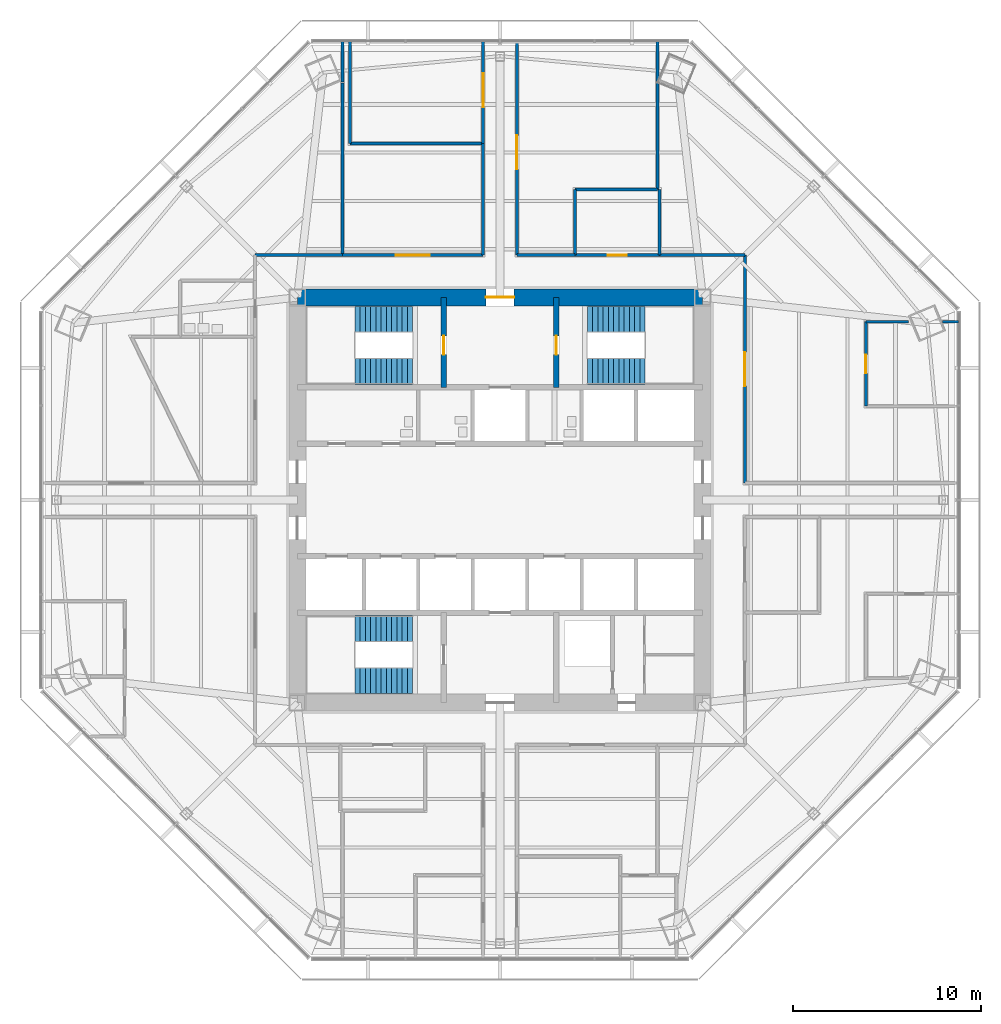
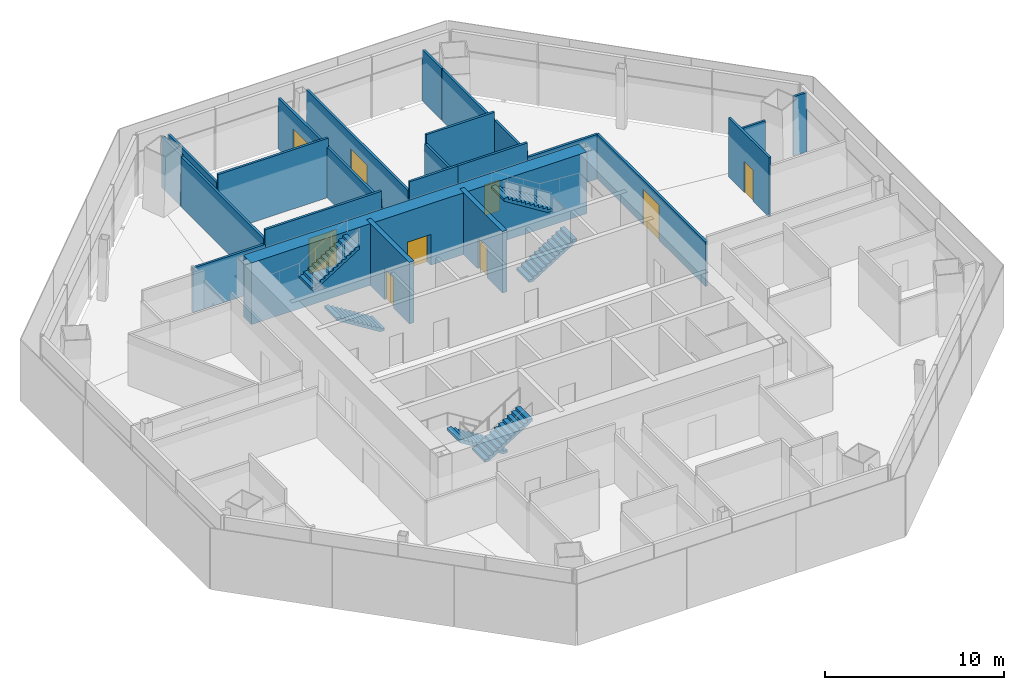
# One storey, part 11 of 15: 24 walls, 9 doors, 6 stair flights, 9 openings, 3 elements without a shape of their own.
"""IFC4 building model written with IfcOpenShell, lengths in metres."""

from ifc_helpers import new_model, si_unit, direction, frame, frame_2d, origin, place, context, subcontext, project, spatial, polyline, rectangle, outline, extrude, material, layer, layer_set, type_object, element, fill, aggregate, save


model = new_model("IFC4")

# Units and contexts
model_context = context("Model", 3, precision=1e-05, world=origin(), true_north=direction((0.0, 1.0)))
body_context = subcontext(model_context, "Body", "Model", "MODEL_VIEW")
ifc_project = project(units=[si_unit("LENGTHUNIT", "METRE"), si_unit("AREAUNIT", "SQUARE_METRE"), si_unit("VOLUMEUNIT", "CUBIC_METRE"), si_unit("PLANEANGLEUNIT", "RADIAN"), si_unit("MASSUNIT", "GRAM", prefix="KILO")], contexts=[model_context])

# Site, building, storey
site_placement = place(None, origin())
site = spatial("IfcSite", under=ifc_project, at=site_placement, CompositionType="ELEMENT")
building_placement = place(site_placement, origin())
building = spatial("IfcBuilding", under=site, at=building_placement, Name="Mashrafa Tower", CompositionType="ELEMENT")
storey_placement = place(building_placement, frame((0.0, 0.0, 126.0)))
storey = spatial("IfcBuildingStorey", under=building, at=storey_placement, Name="L28", CompositionType="ELEMENT", Elevation=126.0)

# Wall, opening, door
ifc_material_1 = material(Name="Concrete C60/75", Category="concrete")
ifc_layer_1 = layer(ifc_material_1, 0.300048828125)
ifc_layer_set_1 = layer_set([ifc_layer_1], Name="Core wall 300 C60/75")
wall_type_1 = type_object("IfcWallType", Name="Core wall 300 C60/75", PredefinedType="SOLIDWALL", material=ifc_layer_set_1)
wall_1_placement = place(storey_placement, frame((-3.0, 6.0, 0.0), z_axis=(0.0, 0.0, 1.0), x_axis=(0.0, 1.0, 0.0)))
wall_1 = element("IfcWall", 1, at=wall_1_placement, inside=storey, type_object=wall_type_1, Name="Core wall CX-NW L28", PredefinedType="SOLIDWALL", context=body_context, shape_type="SweptSolid", body=[
    extrude(rectangle(XDim=4.800048828125, YDim=0.300048828125, at=frame_2d((2.39990234375, 0.0))), origin(), (0.0, 0.0, 1.0), 4.199951171875),
])
opening_1_placement = place(wall_1_placement, frame((1.75, 0.0, 0.0)))
opening_1 = element("IfcOpeningElement", 2, at=opening_1_placement, cuts=wall_1, Name="Opening 28.028", PredefinedType="OPENING", context=body_context, shape_type="SweptSolid", body=[
    extrude(rectangle(XDim=1.0, YDim=2.10009765625, at=frame_2d((0.5, 1.050048828125))), frame((0.0, 0.159912109375, 0.0), z_axis=(0.0, -1.0, 0.0), x_axis=(1.0, 0.0, 0.0)), (0.0, 0.0, 1.0), 0.320068359375),
])
ifc_material_2 = material(Name="Steel door", Category="steel")
door_type_1 = type_object("IfcDoorType", Name="Stair door 1000 x 2100 90 min", OperationType="USERDEFINED", PredefinedType="DOOR", material=ifc_material_2)
door_1_placement = place(opening_1_placement, origin())
door_1 = element("IfcDoor", 3, at=door_1_placement, inside=storey, type_object=door_type_1, Name="Stair S1 door L28", OperationType="SINGLE_SWING_LEFT", OverallHeight=2.10009765625, OverallWidth=1.0, PredefinedType="DOOR", context=body_context, shape_type="SweptSolid", body=[
    extrude(rectangle(XDim=1.0, YDim=2.10009765625, at=frame_2d((0.5, 1.050048828125))), frame((0.0, 0.02490234375, 0.0), z_axis=(0.0, -1.0, 0.0), x_axis=(1.0, 0.0, 0.0)), (0.0, 0.0, 1.0), 0.050048828125),
])
fill(opening_1, door_1)

wall_2_placement = place(storey_placement, frame((3.0, 6.0, 0.0), z_axis=(0.0, 0.0, 1.0), x_axis=(0.0, 1.0, 0.0)))
wall_2 = element("IfcWall", 4, at=wall_2_placement, inside=storey, type_object=wall_type_1, Name="Core wall CX-NE L28", PredefinedType="SOLIDWALL", context=body_context, shape_type="SweptSolid", body=[
    extrude(rectangle(XDim=4.800048828125, YDim=0.300048828125, at=frame_2d((2.39990234375, 0.0))), origin(), (0.0, 0.0, 1.0), 4.199951171875),
])
opening_2_placement = place(wall_2_placement, frame((1.75, 0.0, 0.0)))
opening_2 = element("IfcOpeningElement", 5, at=opening_2_placement, cuts=wall_2, Name="Opening 28.029", PredefinedType="OPENING", context=body_context, shape_type="SweptSolid", body=[
    extrude(rectangle(XDim=1.0, YDim=2.10009765625, at=frame_2d((0.5, 1.050048828125))), frame((0.0, 0.159912109375, 0.0), z_axis=(0.0, -1.0, 0.0), x_axis=(1.0, 0.0, 0.0)), (0.0, 0.0, 1.0), 0.320068359375),
])
door_2_placement = place(opening_2_placement, frame((1.0, 0.0, 0.0), z_axis=(0.0, 0.0, 1.0), x_axis=(-1.0, 0.0, 0.0)))
door_2 = element("IfcDoor", 6, at=door_2_placement, inside=storey, type_object=door_type_1, Name="Stair S2 door L28", OperationType="SINGLE_SWING_RIGHT", OverallHeight=2.10009765625, OverallWidth=1.0, PredefinedType="DOOR", context=body_context, shape_type="SweptSolid", body=[
    extrude(rectangle(XDim=1.0, YDim=2.10009765625, at=frame_2d((0.5, 1.050048828125))), frame((0.0, 0.02490234375, 0.0), z_axis=(0.0, -1.0, 0.0), x_axis=(1.0, 0.0, 0.0)), (0.0, 0.0, 1.0), 0.050048828125),
])
fill(opening_2, door_2)

ifc_material_3 = material(Name="Concrete C60/75", Category="concrete")
ifc_layer_2 = layer(ifc_material_3, 0.89990234375)
ifc_layer_set_2 = layer_set([ifc_layer_2], Name="Core wall 900 C60/75")
wall_type_2 = type_object("IfcWallType", Name="Core wall 900 C60/75", PredefinedType="SOLIDWALL", material=ifc_layer_set_2)
wall_3_placement = place(storey_placement, frame((10.800048828125, 10.800048828125, 0.0), z_axis=(0.0, 0.0, 1.0), x_axis=(-1.0, 0.0, 0.0)))
wall_3 = element("IfcWall", 7, at=wall_3_placement, inside=storey, type_object=wall_type_2, Name="Core wall CW-N L28", PredefinedType="SOLIDWALL", context=body_context, shape_type="SweptSolid", body=[
    extrude(rectangle(XDim=21.60009765625, YDim=0.89990234375, at=frame_2d((10.800048828125, 0.0))), origin(), (0.0, 0.0, 1.0), 4.199951171875),
])
opening_3_placement = place(wall_3_placement, frame((10.050048828125, 0.0, 0.0)))
opening_3 = element("IfcOpeningElement", 8, at=opening_3_placement, cuts=wall_3, Name="Opening 28.026", PredefinedType="OPENING", context=body_context, shape_type="SweptSolid", body=[
    extrude(rectangle(XDim=1.5, YDim=2.10009765625, at=frame_2d((0.75, 1.050048828125))), frame((0.0, 0.4599609375, 0.0), z_axis=(0.0, -1.0, 0.0), x_axis=(1.0, 0.0, 0.0)), (0.0, 0.0, 1.0), 0.919921875),
])
ifc_material_4 = material(Name="Steel door", Category="steel")
door_type_2 = type_object("IfcDoorType", Name="Lobby door pair 1500 x 2100 90 min", OperationType="DOUBLE_DOOR_SINGLE_SWING", PredefinedType="DOOR", material=ifc_material_4)
door_3_placement = place(opening_3_placement, origin())
door_3 = element("IfcDoor", 9, at=door_3_placement, inside=storey, type_object=door_type_2, Name="Fire-fighting lobby F1 door L28", OperationType="DOUBLE_DOOR_SINGLE_SWING", OverallHeight=2.10009765625, OverallWidth=1.5, PredefinedType="DOOR", context=body_context, shape_type="SweptSolid", body=[
    extrude(rectangle(XDim=1.5, YDim=2.10009765625, at=frame_2d((0.75, 1.050048828125))), frame((0.0, 0.02490234375, 0.0), z_axis=(0.0, -1.0, 0.0), x_axis=(1.0, 0.0, 0.0)), (0.0, 0.0, 1.0), 0.050048828125),
])
fill(opening_3, door_3)

ifc_material_5 = material(Name="Gypsum board on steel studs", Category="steel")
ifc_layer_3 = layer(ifc_material_5, 0.14990234375)
ifc_layer_set_3 = layer_set([ifc_layer_3], Name="Corridor partition 150 1 hr")
wall_type_3 = type_object("IfcWallType", Name="Corridor partition 150 1 hr", PredefinedType="PARTITIONING", material=ifc_layer_set_3)
wall_4_placement = place(storey_placement, frame((-0.89990234375, 24.434326171875, 0.0), z_axis=(0.0, 0.0, 1.0), x_axis=(0.0, -1.0, 0.0)))
wall_4 = element("IfcWall", 10, at=wall_4_placement, inside=storey, type_object=wall_type_3, Name="Corridor wall L28-004", PredefinedType="PARTITIONING", context=body_context, shape_type="SweptSolid", body=[
    extrude(rectangle(XDim=5.434814453125, YDim=0.14990234375, at=frame_2d((2.71728515625, 0.0))), origin(), (0.0, 0.0, 1.0), 3.49169921875),
])
opening_4_placement = place(wall_4_placement, frame((1.699462890625, 0.0, 0.0)))
opening_4 = element("IfcOpeningElement", 11, at=opening_4_placement, cuts=wall_4, Name="Opening 28.003", PredefinedType="OPENING", context=body_context, shape_type="SweptSolid", body=[
    extrude(rectangle(XDim=1.800048828125, YDim=2.39990234375, at=frame_2d((0.89990234375, 1.199951171875))), frame((0.0, 0.0849609375, 0.0), z_axis=(0.0, -1.0, 0.0), x_axis=(1.0, 0.0, 0.0)), (0.0, 0.0, 1.0), 0.169921875),
])
ifc_material_6 = material(Name="Timber door", Category="wood")
door_type_3 = type_object("IfcDoorType", Name="Door pair 1800 x 2400", OperationType="DOUBLE_DOOR_SINGLE_SWING", PredefinedType="DOOR", material=ifc_material_6)
door_4_placement = place(opening_4_placement, frame((1.800048828125, 0.0, 0.0), z_axis=(0.0, 0.0, 1.0), x_axis=(-1.0, 0.0, 0.0)))
door_4 = element("IfcDoor", 12, at=door_4_placement, inside=storey, type_object=door_type_3, Name="Board Room 28-N door", OperationType="DOUBLE_DOOR_SINGLE_SWING", OverallHeight=2.39990234375, OverallWidth=1.800048828125, PredefinedType="DOOR", context=body_context, shape_type="SweptSolid", body=[
    extrude(rectangle(XDim=1.800048828125, YDim=2.39990234375, at=frame_2d((0.89990234375, 1.199951171875))), frame((0.0, 0.02490234375, 0.0), z_axis=(0.0, -1.0, 0.0), x_axis=(1.0, 0.0, 0.0)), (0.0, 0.0, 1.0), 0.050048828125),
])
fill(opening_4, door_4)

wall_5_placement = place(storey_placement, frame((8.5009765625, 13.050048828125, 0.0), z_axis=(0.0, 0.0, 1.0), x_axis=(-1.0, 0.0, 0.0)))
wall_5 = element("IfcWall", 13, at=wall_5_placement, inside=storey, type_object=wall_type_3, Name="Corridor wall L28-005", PredefinedType="PARTITIONING", context=body_context, shape_type="SweptSolid", body=[
    extrude(rectangle(XDim=4.501953125, YDim=0.14990234375, at=frame_2d((2.2509765625, 0.0))), origin(), (0.0, 0.0, 1.0), 4.034912109375),
])
opening_5_placement = place(wall_5_placement, frame((1.7509765625, 0.0, 0.0)))
opening_5 = element("IfcOpeningElement", 14, at=opening_5_placement, cuts=wall_5, Name="Opening 28.004", PredefinedType="OPENING", context=body_context, shape_type="SweptSolid", body=[
    extrude(rectangle(XDim=1.0, YDim=2.10009765625, at=frame_2d((0.5, 1.050048828125))), frame((0.0, 0.0849609375, 0.0), z_axis=(0.0, -1.0, 0.0), x_axis=(1.0, 0.0, 0.0)), (0.0, 0.0, 1.0), 0.169921875),
])
ifc_material_7 = material(Name="Timber door", Category="wood")
door_type_4 = type_object("IfcDoorType", Name="Door 1000 x 2100", OperationType="USERDEFINED", PredefinedType="DOOR", material=ifc_material_7)
door_5_placement = place(opening_5_placement, frame((1.0, 0.0, 0.0), z_axis=(0.0, 0.0, 1.0), x_axis=(-1.0, 0.0, 0.0)))
door_5 = element("IfcDoor", 15, at=door_5_placement, inside=storey, type_object=door_type_4, Name="Pantry 28-N door", OperationType="SINGLE_SWING_RIGHT", OverallHeight=2.10009765625, OverallWidth=1.0, PredefinedType="DOOR", context=body_context, shape_type="SweptSolid", body=[
    extrude(rectangle(XDim=1.0, YDim=2.10009765625, at=frame_2d((0.5, 1.050048828125))), frame((0.0, 0.02490234375, 0.0), z_axis=(0.0, -1.0, 0.0), x_axis=(1.0, 0.0, 0.0)), (0.0, 0.0, 1.0), 0.050048828125),
])
fill(opening_5, door_5)

wall_6_placement = place(storey_placement, frame((13.050048828125, 0.89990234375, 0.0), z_axis=(0.0, 0.0, 1.0), x_axis=(0.0, 1.0, 0.0)))
wall_6 = element("IfcWall", 16, at=wall_6_placement, inside=storey, type_object=wall_type_3, Name="Corridor wall L28-012", PredefinedType="PARTITIONING", context=body_context, shape_type="SweptSolid", body=[
    extrude(rectangle(XDim=12.150146484375, YDim=0.14990234375, at=frame_2d((6.0751953125, 0.0))), origin(), (0.0, 0.0, 1.0), 3.0419921875),
])
opening_6_placement = place(wall_6_placement, frame((5.175048828125, 0.0, 0.0)))
opening_6 = element("IfcOpeningElement", 17, at=opening_6_placement, cuts=wall_6, Name="Opening 28.014", PredefinedType="OPENING", context=body_context, shape_type="SweptSolid", body=[
    extrude(rectangle(XDim=1.800048828125, YDim=2.39990234375, at=frame_2d((0.89990234375, 1.199951171875))), frame((0.0, 0.0849609375, 0.0), z_axis=(0.0, -1.0, 0.0), x_axis=(1.0, 0.0, 0.0)), (0.0, 0.0, 1.0), 0.169921875),
])
door_6_placement = place(opening_6_placement, frame((1.800048828125, 0.0, 0.0), z_axis=(0.0, 0.0, 1.0), x_axis=(-1.0, 0.0, 0.0)))
door_6 = element("IfcDoor", 18, at=door_6_placement, inside=storey, type_object=door_type_3, Name="Office Tenancy 28-N-NE1 door", OperationType="DOUBLE_DOOR_SINGLE_SWING", OverallHeight=2.39990234375, OverallWidth=1.800048828125, PredefinedType="DOOR", context=body_context, shape_type="SweptSolid", body=[
    extrude(rectangle(XDim=1.800048828125, YDim=2.39990234375, at=frame_2d((0.89990234375, 1.199951171875))), frame((0.0, 0.02490234375, 0.0), z_axis=(0.0, -1.0, 0.0), x_axis=(1.0, 0.0, 0.0)), (0.0, 0.0, 1.0), 0.050048828125),
])
fill(opening_6, door_6)

# Walls
wall_7_placement = place(storey_placement, frame((13.050048828125, 13.050048828125, 0.0), z_axis=(0.0, 0.0, 1.0), x_axis=(-1.0, 0.0, 0.0)))
element("IfcWall", 19, at=wall_7_placement, inside=storey, type_object=wall_type_3, Name="Corridor wall L28-013", PredefinedType="PARTITIONING", context=body_context, shape_type="SweptSolid", body=[
    extrude(rectangle(XDim=4.551025390625, YDim=0.14990234375, at=frame_2d((2.275390625, 0.0))), origin(), (0.0, 0.0, 1.0), 3.0419921875),
])
wall_8_placement = place(storey_placement, frame((4.0009765625, 13.050048828125, 0.0), z_axis=(0.0, 0.0, 1.0), x_axis=(-1.0, 0.0, 0.0)))
element("IfcWall", 20, at=wall_8_placement, inside=storey, type_object=wall_type_3, Name="Corridor wall L28-014", PredefinedType="PARTITIONING", context=body_context, shape_type="SweptSolid", body=[
    extrude(rectangle(XDim=3.10107421875, YDim=0.14990234375, at=frame_2d((1.550537109375, 0.0))), origin(), (0.0, 0.0, 1.0), 4.034912109375),
])

# Wall, opening, door
wall_9_placement = place(storey_placement, frame((0.89990234375, 13.050048828125, 0.0), z_axis=(0.0, 0.0, 1.0), x_axis=(0.0, 1.0, 0.0)))
wall_9 = element("IfcWall", 21, at=wall_9_placement, inside=storey, type_object=wall_type_3, Name="Corridor wall L28-015", PredefinedType="PARTITIONING", context=body_context, shape_type="SweptSolid", body=[
    extrude(rectangle(XDim=11.38427734375, YDim=0.14990234375, at=frame_2d((5.692138671875, 0.0))), origin(), (0.0, 0.0, 1.0), 3.425537109375),
])
opening_7_placement = place(wall_9_placement, frame((4.5751953125, 0.0, 0.0)))
opening_7 = element("IfcOpeningElement", 22, at=opening_7_placement, cuts=wall_9, Name="Opening 28.015", PredefinedType="OPENING", context=body_context, shape_type="SweptSolid", body=[
    extrude(rectangle(XDim=1.800048828125, YDim=2.39990234375, at=frame_2d((0.89990234375, 1.199951171875))), frame((0.0, 0.0849609375, 0.0), z_axis=(0.0, -1.0, 0.0), x_axis=(1.0, 0.0, 0.0)), (0.0, 0.0, 1.0), 0.169921875),
])
door_7_placement = place(opening_7_placement, frame((1.800048828125, 0.0, 0.0), z_axis=(0.0, 0.0, 1.0), x_axis=(-1.0, 0.0, 0.0)))
door_7 = element("IfcDoor", 23, at=door_7_placement, inside=storey, type_object=door_type_3, Name="Office Tenancy 28-N-NE2 door", OperationType="DOUBLE_DOOR_SINGLE_SWING", OverallHeight=2.39990234375, OverallWidth=1.800048828125, PredefinedType="DOOR", context=body_context, shape_type="SweptSolid", body=[
    extrude(rectangle(XDim=1.800048828125, YDim=2.39990234375, at=frame_2d((0.89990234375, 1.199951171875))), frame((0.0, 0.02490234375, 0.0), z_axis=(0.0, -1.0, 0.0), x_axis=(1.0, 0.0, 0.0)), (0.0, 0.0, 1.0), 0.050048828125),
])
fill(opening_7, door_7)

# Walls
wall_10_placement = place(storey_placement, frame((-8.39892578125, 13.050048828125, 0.0), z_axis=(0.0, 0.0, 1.0), x_axis=(-1.0, 0.0, 0.0)))
element("IfcWall", 24, at=wall_10_placement, inside=storey, type_object=wall_type_3, Name="Corridor wall L28-017", PredefinedType="PARTITIONING", context=body_context, shape_type="SweptSolid", body=[
    extrude(rectangle(XDim=4.651123046875, YDim=0.14990234375, at=frame_2d((2.32568359375, 0.0))), origin(), (0.0, 0.0, 1.0), 3.0419921875),
])
wall_11_placement = place(storey_placement, frame((-0.89990234375, 19.00146484375, 0.0), z_axis=(0.0, 0.0, 1.0), x_axis=(0.0, -1.0, 0.0)))
element("IfcWall", 25, at=wall_11_placement, inside=storey, type_object=wall_type_3, Name="Corridor wall L28-019", PredefinedType="PARTITIONING", context=body_context, shape_type="SweptSolid", body=[
    extrude(rectangle(XDim=5.951416015625, YDim=0.14990234375, at=frame_2d((2.9755859375, 0.0))), origin(), (0.0, 0.0, 1.0), 3.425537109375),
])

# Wall, opening, door
wall_12_placement = place(storey_placement, frame((-0.89990234375, 13.050048828125, 0.0), z_axis=(0.0, 0.0, 1.0), x_axis=(-1.0, 0.0, 0.0)))
wall_12 = element("IfcWall", 26, at=wall_12_placement, inside=storey, type_object=wall_type_3, Name="Corridor wall L28-020", PredefinedType="PARTITIONING", context=body_context, shape_type="SweptSolid", body=[
    extrude(rectangle(XDim=7.5009765625, YDim=0.14990234375, at=frame_2d((3.75048828125, 0.0))), origin(), (0.0, 0.0, 1.0), 4.034912109375),
])
opening_8_placement = place(wall_12_placement, frame((2.8505859375, 0.0, 0.0)))
opening_8 = element("IfcOpeningElement", 27, at=opening_8_placement, cuts=wall_12, Name="Opening 28.017", PredefinedType="OPENING", context=body_context, shape_type="SweptSolid", body=[
    extrude(rectangle(XDim=1.800048828125, YDim=2.39990234375, at=frame_2d((0.89990234375, 1.199951171875))), frame((0.0, 0.0849609375, 0.0), z_axis=(0.0, -1.0, 0.0), x_axis=(1.0, 0.0, 0.0)), (0.0, 0.0, 1.0), 0.169921875),
])
door_8_placement = place(opening_8_placement, frame((1.800048828125, 0.0, 0.0), z_axis=(0.0, 0.0, 1.0), x_axis=(-1.0, 0.0, 0.0)))
door_8 = element("IfcDoor", 28, at=door_8_placement, inside=storey, type_object=door_type_3, Name="Office Tenancy 28-N-NW2 door", OperationType="DOUBLE_DOOR_SINGLE_SWING", OverallHeight=2.39990234375, OverallWidth=1.800048828125, PredefinedType="DOOR", context=body_context, shape_type="SweptSolid", body=[
    extrude(rectangle(XDim=1.800048828125, YDim=2.39990234375, at=frame_2d((0.89990234375, 1.199951171875))), frame((0.0, 0.02490234375, 0.0), z_axis=(0.0, -1.0, 0.0), x_axis=(1.0, 0.0, 0.0)), (0.0, 0.0, 1.0), 0.050048828125),
])
fill(opening_8, door_8)

# Walls
ifc_material_8 = material(Name="Gypsum board on steel studs", Category="steel")
ifc_layer_4 = layer(ifc_material_8, 0.14990234375)
ifc_layer_set_4 = layer_set([ifc_layer_4], Name="Partition 150")
wall_type_4 = type_object("IfcWallType", Name="Partition 150", PredefinedType="PARTITIONING", material=ifc_layer_set_4)
wall_13_placement = place(storey_placement, frame((-8.0, 24.432373046875, 0.0), z_axis=(0.0, 0.0, 1.0), x_axis=(0.0, -1.0, 0.0)))
element("IfcWall", 29, at=wall_13_placement, inside=storey, type_object=wall_type_4, Name="Partition wall L28-036", PredefinedType="PARTITIONING", context=body_context, shape_type="SweptSolid", body=[
    extrude(rectangle(XDim=5.431884765625, YDim=0.14990234375, at=frame_2d((2.7158203125, 0.0))), origin(), (0.0, 0.0, 1.0), 3.49169921875),
])
wall_14_placement = place(storey_placement, frame((-8.0, 19.00048828125, 0.0), z_axis=(0.0, 0.0, 1.0), x_axis=(1.0, 0.0, 0.0)))
element("IfcWall", 30, at=wall_14_placement, inside=storey, type_object=wall_type_4, Name="Partition wall L28-037", PredefinedType="PARTITIONING", context=body_context, shape_type="SweptSolid", body=[
    extrude(rectangle(XDim=7.10009765625, YDim=0.14990234375, at=frame_2d((3.550048828125, 0.0))), origin(), (0.0, 0.0, 1.0), 4.034912109375),
])
wall_15_placement = place(storey_placement, frame((8.5, 13.050048828125, 0.0), z_axis=(0.0, 0.0, 1.0), x_axis=(0.0, 1.0, 0.0)))
element("IfcWall", 31, at=wall_15_placement, inside=storey, type_object=wall_type_4, Name="Partition wall L28-038", PredefinedType="PARTITIONING", context=body_context, shape_type="SweptSolid", body=[
    extrude(rectangle(XDim=3.5, YDim=0.14990234375, at=frame_2d((1.75, 0.0))), origin(), (0.0, 0.0, 1.0), 3.425537109375),
])
wall_16_placement = place(storey_placement, frame((8.40087890625, 16.550048828125, 0.0), z_axis=(0.0, 0.0, 1.0), x_axis=(-1.0, 0.0, 0.0)))
element("IfcWall", 32, at=wall_16_placement, inside=storey, type_object=wall_type_4, Name="Partition wall L28-039", PredefinedType="PARTITIONING", context=body_context, shape_type="SweptSolid", body=[
    extrude(rectangle(XDim=4.40087890625, YDim=0.14990234375, at=frame_2d((2.200439453125, 0.0))), origin(), (0.0, 0.0, 1.0), 4.034912109375),
])
wall_17_placement = place(storey_placement, frame((4.0, 16.550048828125, 0.0), z_axis=(0.0, 0.0, 1.0), x_axis=(0.0, -1.0, 0.0)))
element("IfcWall", 33, at=wall_17_placement, inside=storey, type_object=wall_type_4, Name="Partition wall L28-040", PredefinedType="PARTITIONING", context=body_context, shape_type="SweptSolid", body=[
    extrude(rectangle(XDim=3.5, YDim=0.14990234375, at=frame_2d((1.75, 0.0))), origin(), (0.0, 0.0, 1.0), 3.425537109375),
])
wall_18_placement = place(storey_placement, frame((24.432373046875, 9.5, 0.0), z_axis=(0.0, 0.0, 1.0), x_axis=(-1.0, 0.0, 0.0)))
element("IfcWall", 34, at=wall_18_placement, inside=storey, type_object=wall_type_4, Name="Partition wall L28-046", PredefinedType="PARTITIONING", context=body_context, shape_type="SweptSolid", body=[
    extrude(rectangle(XDim=0.85546875, YDim=0.14990234375, at=frame_2d((0.427734375, 0.0))), origin(), (0.0, 0.0, 1.0), 4.034912109375),
])
wall_19_placement = place(storey_placement, frame((21.772216796875, 9.5, 0.0), z_axis=(0.0, 0.0, 1.0), x_axis=(-1.0, 0.0, 0.0)))
element("IfcWall", 35, at=wall_19_placement, inside=storey, type_object=wall_type_4, Name="Partition wall L28-047", PredefinedType="PARTITIONING", context=body_context, shape_type="SweptSolid", body=[
    extrude(rectangle(XDim=2.271728515625, YDim=0.14990234375, at=frame_2d((1.1357421875, 0.0))), origin(), (0.0, 0.0, 1.0), 3.0419921875),
])

# Wall, opening, door
wall_20_placement = place(storey_placement, frame((19.50048828125, 9.5, 0.0), z_axis=(0.0, 0.0, 1.0), x_axis=(0.0, -1.0, 0.0)))
wall_20 = element("IfcWall", 36, at=wall_20_placement, inside=storey, type_object=wall_type_4, Name="Partition wall L28-048", PredefinedType="PARTITIONING", context=body_context, shape_type="SweptSolid", body=[
    extrude(rectangle(XDim=4.5, YDim=0.14990234375, at=frame_2d((2.25, 0.0))), origin(), (0.0, 0.0, 1.0), 4.034912109375),
])
opening_9_placement = place(wall_20_placement, frame((1.75, 0.0, 0.0)))
opening_9 = element("IfcOpeningElement", 37, at=opening_9_placement, cuts=wall_20, Name="Opening 28.007", PredefinedType="OPENING", context=body_context, shape_type="SweptSolid", body=[
    extrude(rectangle(XDim=1.0, YDim=2.10009765625, at=frame_2d((0.5, 1.050048828125))), frame((0.0, 0.0849609375, 0.0), z_axis=(0.0, -1.0, 0.0), x_axis=(1.0, 0.0, 0.0)), (0.0, 0.0, 1.0), 0.169921875),
])
door_9_placement = place(opening_9_placement, origin())
door_9 = element("IfcDoor", 38, at=door_9_placement, inside=storey, type_object=door_type_4, Name="Meeting Room 28-N-NE1 door", OperationType="SINGLE_SWING_LEFT", OverallHeight=2.10009765625, OverallWidth=1.0, PredefinedType="DOOR", context=body_context, shape_type="SweptSolid", body=[
    extrude(rectangle(XDim=1.0, YDim=2.10009765625, at=frame_2d((0.5, 1.050048828125))), frame((0.0, 0.02490234375, 0.0), z_axis=(0.0, -1.0, 0.0), x_axis=(1.0, 0.0, 0.0)), (0.0, 0.0, 1.0), 0.050048828125),
])
fill(opening_9, door_9)

# Walls
wall_21_placement = place(storey_placement, frame((8.39990234375, 24.432373046875, 0.0), z_axis=(0.0, 0.0, 1.0), x_axis=(0.0, -1.0, 0.0)))
element("IfcWall", 39, at=wall_21_placement, inside=storey, type_object=wall_type_4, Name="Partition wall L28-069", PredefinedType="PARTITIONING", context=body_context, shape_type="SweptSolid", body=[
    extrude(rectangle(XDim=2.1435546875, YDim=0.14990234375, at=frame_2d((1.07177734375, 0.0))), origin(), (0.0, 0.0, 1.0), 3.499267578125),
])
wall_22_placement = place(storey_placement, frame((8.39990234375, 22.227783203125, 0.0), z_axis=(0.0, 0.0, 1.0), x_axis=(0.0, -1.0, 0.0)))
element("IfcWall", 40, at=wall_22_placement, inside=storey, type_object=wall_type_4, Name="Partition wall L28-070", PredefinedType="PARTITIONING", context=body_context, shape_type="SweptSolid", body=[
    extrude(rectangle(XDim=5.677734375, YDim=0.14990234375, at=frame_2d((2.8388671875, 0.0))), origin(), (0.0, 0.0, 1.0), 3.49169921875),
])
wall_23_placement = place(storey_placement, frame((-8.39990234375, 13.050048828125, 0.0), z_axis=(0.0, 0.0, 1.0), x_axis=(0.0, 1.0, 0.0)))
element("IfcWall", 41, at=wall_23_placement, inside=storey, type_object=wall_type_4, Name="Partition wall L28-071", PredefinedType="PARTITIONING", context=body_context, shape_type="SweptSolid", body=[
    extrude(rectangle(XDim=9.177734375, YDim=0.14990234375, at=frame_2d((4.5888671875, 0.0))), origin(), (0.0, 0.0, 1.0), 3.425537109375),
])
wall_24_placement = place(storey_placement, frame((-8.39990234375, 22.288818359375, 0.0), z_axis=(0.0, 0.0, 1.0), x_axis=(0.0, 1.0, 0.0)))
element("IfcWall", 42, at=wall_24_placement, inside=storey, type_object=wall_type_4, Name="Partition wall L28-072", PredefinedType="PARTITIONING", context=body_context, shape_type="SweptSolid", body=[
    extrude(rectangle(XDim=2.1435546875, YDim=0.14990234375, at=frame_2d((1.07177734375, 0.0))), origin(), (0.0, 0.0, 1.0), 3.499267578125),
])

# Stair, stair flights
ifc_material_9 = material(Name="Exit stair 1400")
stair_type = type_object("IfcStairType", Name="Exit stair 1400", PredefinedType="HALF_TURN_STAIR", material=ifc_material_9)
stair_1_placement = place(storey_placement, origin())
stair_1 = element("IfcStair", 43, at=stair_1_placement, inside=storey, type_object=stair_type, Name="Stair S1 L28", PredefinedType="HALF_TURN_STAIR")
ifc_material_10 = material(Name="Concrete C32/40", Category="concrete")
stair_flight_type = type_object("IfcStairFlightType", Name="Stair flight 1400", PredefinedType="STRAIGHT", material=ifc_material_10)
stair_flight_1_placement = place(storey_placement, frame((-4.64990234375, 6.85009765625, 0.0), z_axis=(0.0, 0.0, 1.0), x_axis=(-1.0, 0.0, 0.0)))
stair_flight_1 = element("IfcStairFlight", 44, at=stair_flight_1_placement, type_object=stair_flight_type, Name="S1 flight 1", NumberOfRisers=12, NumberOfTreads=11, PredefinedType="STRAIGHT", RiserHeight=0.175, TreadLength=0.28, context=body_context, shape_type="SweptSolid", body=[
    extrude(outline(polyline([(0.0, 0.0), (0.0, 0.175048828125), (0.280029296875, 0.175048828125), (0.280029296875, 0.35009765625), (0.56005859375, 0.35009765625), (0.56005859375, 0.52490234375), (0.840087890625, 0.52490234375), (0.840087890625, 0.699951171875), (1.1201171875, 0.699951171875), (1.1201171875, 0.875), (1.39990234375, 0.875), (1.39990234375, 1.050048828125), (1.679931640625, 1.050048828125), (1.679931640625, 1.22509765625), (1.9599609375, 1.22509765625), (1.9599609375, 1.39990234375), (2.239990234375, 1.39990234375), (2.239990234375, 1.574951171875), (2.52001953125, 1.574951171875), (2.52001953125, 1.75), (2.800048828125, 1.75), (2.800048828125, 1.925048828125), (3.080078125, 1.925048828125), (3.080078125, 2.10009765625), (3.080078125, 1.748291015625), (0.28271484375, 0.0), (0.0, 0.0)])), frame((0.0, 0.699951171875, 0.0), z_axis=(0.0, -1.0, 0.0), x_axis=(1.0, 0.0, 0.0)), (0.0, 0.0, 1.0), 1.39990234375),
])
stair_flight_2_placement = place(storey_placement, frame((-7.72998046875, 9.64990234375, 2.10009765625), z_axis=(0.0, 0.0, 1.0), x_axis=(1.0, 0.0, 0.0)))
stair_flight_2 = element("IfcStairFlight", 45, at=stair_flight_2_placement, type_object=stair_flight_type, Name="S1 flight 2", NumberOfRisers=12, NumberOfTreads=11, PredefinedType="STRAIGHT", RiserHeight=0.175, TreadLength=0.28, context=body_context, shape_type="SweptSolid", body=[
    extrude(outline(polyline([(0.0, 0.0), (0.0, 0.175048828125), (0.280029296875, 0.175048828125), (0.280029296875, 0.35009765625), (0.56005859375, 0.35009765625), (0.56005859375, 0.52490234375), (0.840087890625, 0.52490234375), (0.840087890625, 0.699951171875), (1.1201171875, 0.699951171875), (1.1201171875, 0.875), (1.39990234375, 0.875), (1.39990234375, 1.050048828125), (1.679931640625, 1.050048828125), (1.679931640625, 1.22509765625), (1.9599609375, 1.22509765625), (1.9599609375, 1.39990234375), (2.239990234375, 1.39990234375), (2.239990234375, 1.574951171875), (2.52001953125, 1.574951171875), (2.52001953125, 1.75), (2.800048828125, 1.75), (2.800048828125, 1.925048828125), (3.080078125, 1.925048828125), (3.080078125, 2.10009765625), (3.080078125, 1.748291015625), (0.28271484375, 0.0), (0.0, 0.0)])), frame((0.0, 0.699951171875, 0.0), z_axis=(0.0, -1.0, 0.0), x_axis=(1.0, 0.0, 0.0)), (0.0, 0.0, 1.0), 1.39990234375),
])
aggregate(stair_1, [stair_flight_1, stair_flight_2])

stair_2_placement = place(storey_placement, origin())
stair_2 = element("IfcStair", 46, at=stair_2_placement, inside=storey, type_object=stair_type, Name="Stair S2 L28", PredefinedType="HALF_TURN_STAIR")
stair_flight_3_placement = place(storey_placement, frame((4.64990234375, 6.85009765625, 0.0), z_axis=(0.0, 0.0, 1.0), x_axis=(1.0, 0.0, 0.0)))
stair_flight_3 = element("IfcStairFlight", 47, at=stair_flight_3_placement, type_object=stair_flight_type, Name="S2 flight 1", NumberOfRisers=12, NumberOfTreads=11, PredefinedType="STRAIGHT", RiserHeight=0.175, TreadLength=0.28, context=body_context, shape_type="SweptSolid", body=[
    extrude(outline(polyline([(0.0, 0.0), (0.0, 0.175048828125), (0.280029296875, 0.175048828125), (0.280029296875, 0.35009765625), (0.56005859375, 0.35009765625), (0.56005859375, 0.52490234375), (0.840087890625, 0.52490234375), (0.840087890625, 0.699951171875), (1.1201171875, 0.699951171875), (1.1201171875, 0.875), (1.39990234375, 0.875), (1.39990234375, 1.050048828125), (1.679931640625, 1.050048828125), (1.679931640625, 1.22509765625), (1.9599609375, 1.22509765625), (1.9599609375, 1.39990234375), (2.239990234375, 1.39990234375), (2.239990234375, 1.574951171875), (2.52001953125, 1.574951171875), (2.52001953125, 1.75), (2.800048828125, 1.75), (2.800048828125, 1.925048828125), (3.080078125, 1.925048828125), (3.080078125, 2.10009765625), (3.080078125, 1.748291015625), (0.28271484375, 0.0), (0.0, 0.0)])), frame((0.0, 0.699951171875, 0.0), z_axis=(0.0, -1.0, 0.0), x_axis=(1.0, 0.0, 0.0)), (0.0, 0.0, 1.0), 1.39990234375),
])
stair_flight_4_placement = place(storey_placement, frame((7.72998046875, 9.64990234375, 2.10009765625), z_axis=(0.0, 0.0, 1.0), x_axis=(-1.0, 0.0, 0.0)))
stair_flight_4 = element("IfcStairFlight", 48, at=stair_flight_4_placement, type_object=stair_flight_type, Name="S2 flight 2", NumberOfRisers=12, NumberOfTreads=11, PredefinedType="STRAIGHT", RiserHeight=0.175, TreadLength=0.28, context=body_context, shape_type="SweptSolid", body=[
    extrude(outline(polyline([(0.0, 0.0), (0.0, 0.175048828125), (0.280029296875, 0.175048828125), (0.280029296875, 0.35009765625), (0.56005859375, 0.35009765625), (0.56005859375, 0.52490234375), (0.840087890625, 0.52490234375), (0.840087890625, 0.699951171875), (1.1201171875, 0.699951171875), (1.1201171875, 0.875), (1.39990234375, 0.875), (1.39990234375, 1.050048828125), (1.679931640625, 1.050048828125), (1.679931640625, 1.22509765625), (1.9599609375, 1.22509765625), (1.9599609375, 1.39990234375), (2.239990234375, 1.39990234375), (2.239990234375, 1.574951171875), (2.52001953125, 1.574951171875), (2.52001953125, 1.75), (2.800048828125, 1.75), (2.800048828125, 1.925048828125), (3.080078125, 1.925048828125), (3.080078125, 2.10009765625), (3.080078125, 1.748291015625), (0.28271484375, 0.0), (0.0, 0.0)])), frame((0.0, 0.699951171875, 0.0), z_axis=(0.0, -1.0, 0.0), x_axis=(1.0, 0.0, 0.0)), (0.0, 0.0, 1.0), 1.39990234375),
])
aggregate(stair_2, [stair_flight_3, stair_flight_4])

stair_3_placement = place(storey_placement, origin())
stair_3 = element("IfcStair", 49, at=stair_3_placement, inside=storey, type_object=stair_type, Name="Stair S3 L28", PredefinedType="HALF_TURN_STAIR")
stair_flight_5_placement = place(storey_placement, frame((-4.64990234375, -6.85009765625, 0.0), z_axis=(0.0, 0.0, 1.0), x_axis=(-1.0, 0.0, 0.0)))
stair_flight_5 = element("IfcStairFlight", 50, at=stair_flight_5_placement, type_object=stair_flight_type, Name="S3 flight 1", NumberOfRisers=12, NumberOfTreads=11, PredefinedType="STRAIGHT", RiserHeight=0.175, TreadLength=0.28, context=body_context, shape_type="SweptSolid", body=[
    extrude(outline(polyline([(0.0, 0.0), (0.0, 0.175048828125), (0.280029296875, 0.175048828125), (0.280029296875, 0.35009765625), (0.56005859375, 0.35009765625), (0.56005859375, 0.52490234375), (0.840087890625, 0.52490234375), (0.840087890625, 0.699951171875), (1.1201171875, 0.699951171875), (1.1201171875, 0.875), (1.39990234375, 0.875), (1.39990234375, 1.050048828125), (1.679931640625, 1.050048828125), (1.679931640625, 1.22509765625), (1.9599609375, 1.22509765625), (1.9599609375, 1.39990234375), (2.239990234375, 1.39990234375), (2.239990234375, 1.574951171875), (2.52001953125, 1.574951171875), (2.52001953125, 1.75), (2.800048828125, 1.75), (2.800048828125, 1.925048828125), (3.080078125, 1.925048828125), (3.080078125, 2.10009765625), (3.080078125, 1.748291015625), (0.28271484375, 0.0), (0.0, 0.0)])), frame((0.0, 0.699951171875, 0.0), z_axis=(0.0, -1.0, 0.0), x_axis=(1.0, 0.0, 0.0)), (0.0, 0.0, 1.0), 1.39990234375),
])
stair_flight_6_placement = place(storey_placement, frame((-7.72998046875, -9.64990234375, 2.10009765625), z_axis=(0.0, 0.0, 1.0), x_axis=(1.0, 0.0, 0.0)))
stair_flight_6 = element("IfcStairFlight", 51, at=stair_flight_6_placement, type_object=stair_flight_type, Name="S3 flight 2", NumberOfRisers=12, NumberOfTreads=11, PredefinedType="STRAIGHT", RiserHeight=0.175, TreadLength=0.28, context=body_context, shape_type="SweptSolid", body=[
    extrude(outline(polyline([(0.0, 0.0), (0.0, 0.175048828125), (0.280029296875, 0.175048828125), (0.280029296875, 0.35009765625), (0.56005859375, 0.35009765625), (0.56005859375, 0.52490234375), (0.840087890625, 0.52490234375), (0.840087890625, 0.699951171875), (1.1201171875, 0.699951171875), (1.1201171875, 0.875), (1.39990234375, 0.875), (1.39990234375, 1.050048828125), (1.679931640625, 1.050048828125), (1.679931640625, 1.22509765625), (1.9599609375, 1.22509765625), (1.9599609375, 1.39990234375), (2.239990234375, 1.39990234375), (2.239990234375, 1.574951171875), (2.52001953125, 1.574951171875), (2.52001953125, 1.75), (2.800048828125, 1.75), (2.800048828125, 1.925048828125), (3.080078125, 1.925048828125), (3.080078125, 2.10009765625), (3.080078125, 1.748291015625), (0.28271484375, 0.0), (0.0, 0.0)])), frame((0.0, 0.699951171875, 0.0), z_axis=(0.0, -1.0, 0.0), x_axis=(1.0, 0.0, 0.0)), (0.0, 0.0, 1.0), 1.39990234375),
])
aggregate(stair_3, [stair_flight_5, stair_flight_6])

save(model, "model.ifc")
